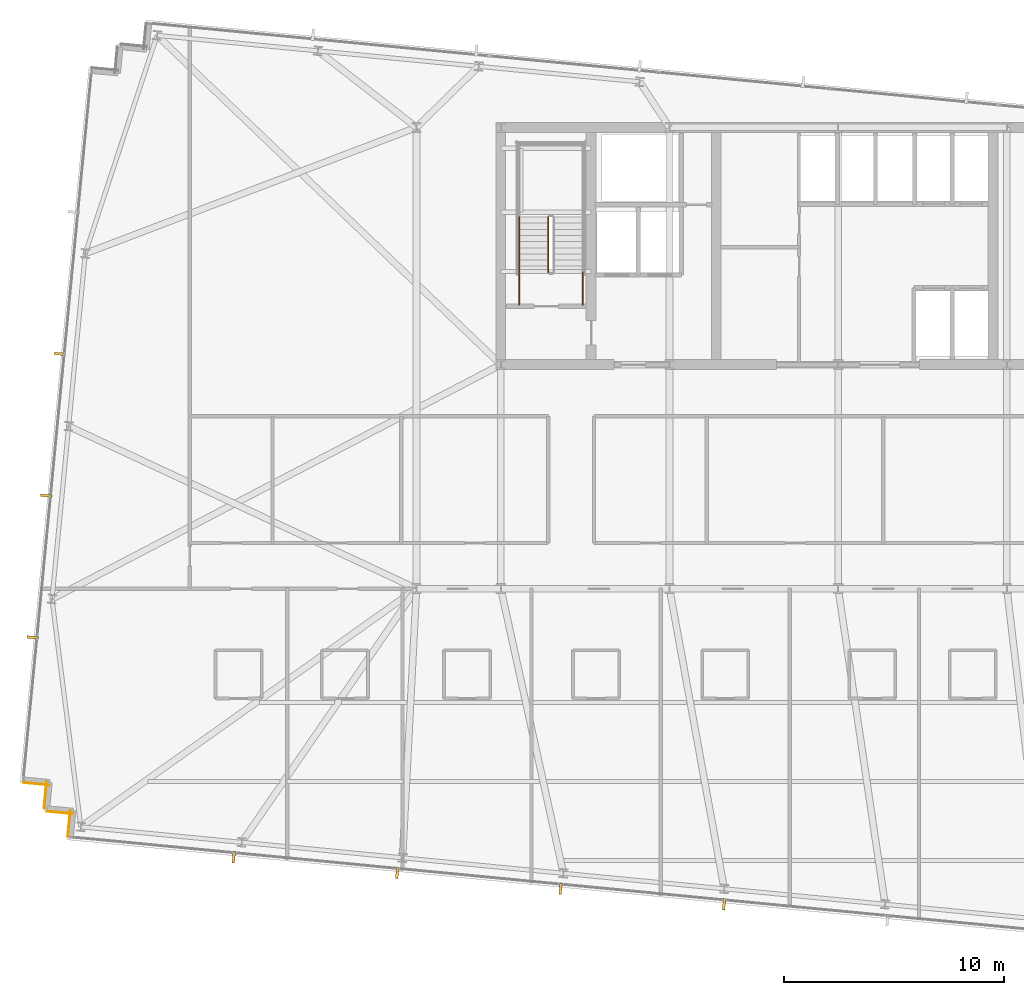
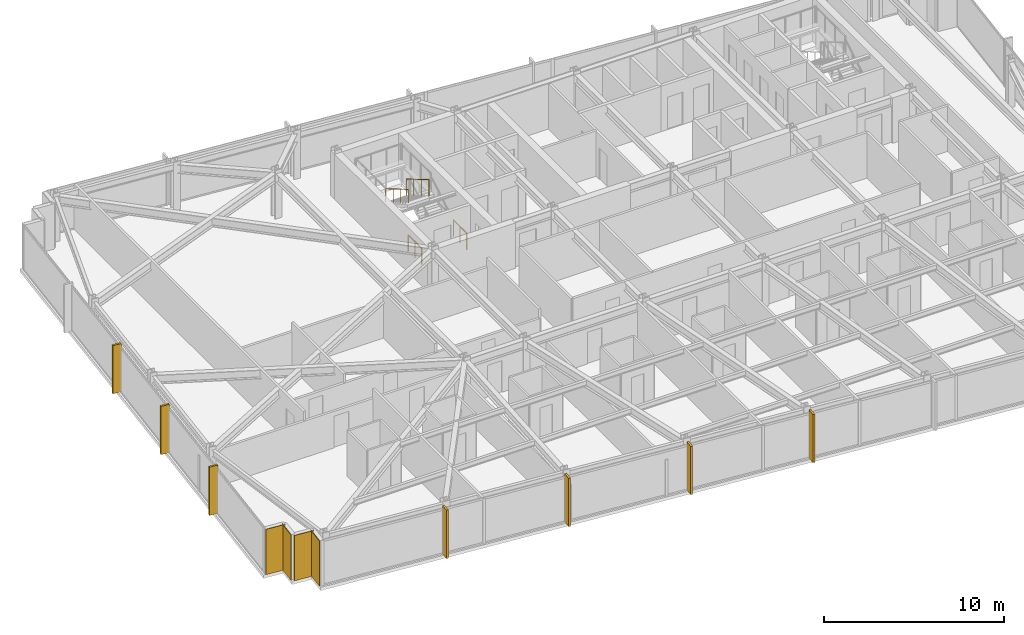
# One storey, part 33 of 37: 7 shading devices, 4 coverings, 4 railings.
"""IFC4 building model written with IfcOpenShell, lengths in metres."""

import ifcopenshell
import ifcopenshell.guid

model = None  # the IFC model being written
_history = None  # IfcOwnerHistory: only IFC2X3 demands one
_inside = {}  # id of a spatial element -> (the spatial element, [elements in it])
_under = {}  # id of a project, library or spatial element -> (it, [spatial elements below it])
_declared = {}  # id of a project -> (the project, [libraries it declares])
_typed = {}  # id of a type object -> (the type object, [elements of that type])
_made_of = {}  # id of a material, layer set ... -> (it, [elements and type objects made of it])


def new_model(schema):
    """Start an empty IFC model of exactly this schema.

    Asked for "IFC4X3", IfcOpenShell would pick the latest addendum, in which some entities
    have other attributes; the version numbers below select the first issue.
    IFC2X3 requires an IfcOwnerHistory on every rooted entity: one is made here for all.
    """
    global model, _history
    if schema == "IFC4X3":
        model = ifcopenshell.file(schema_version=(4, 3, 0, 0))
    else:
        model = ifcopenshell.file(schema=schema)
    _inside.clear()
    _under.clear()
    _declared.clear()
    _typed.clear()
    _made_of.clear()
    _history = None
    if model.schema == "IFC2X3":
        org = make("IfcOrganization", Name="unknown")
        user = make(
            "IfcPersonAndOrganization",
            ThePerson=make("IfcPerson", FamilyName="unknown"),
            TheOrganization=org,
        )
        app = make(
            "IfcApplication",
            ApplicationDeveloper=org,
            Version="unknown",
            ApplicationFullName="unknown",
            ApplicationIdentifier="unknown",
        )
        _history = make(
            "IfcOwnerHistory",
            OwningUser=user,
            OwningApplication=app,
            ChangeAction="ADDED",
            CreationDate=0,
        )
    return model


def make(cls, **values):
    """One entity of the class cls with the attributes given. An attribute that is None is left unset."""
    return model.create_entity(
        cls, **{name: value for name, value in values.items() if value is not None}
    )


def rooted(cls, **values):
    """An entity with a GlobalId (a new one), such as an element, a storey or a relation."""
    return make(cls, GlobalId=ifcopenshell.guid.new(), OwnerHistory=_history, **values)


def si_unit(unit_type, name, prefix=None):
    """IfcSIUnit, for example si_unit("LENGTHUNIT", "METRE", prefix="MILLI")."""
    return make("IfcSIUnit", UnitType=unit_type, Prefix=prefix, Name=name)


def assignment(units):
    """IfcUnitAssignment: the units of a project."""
    return None if units is None else make("IfcUnitAssignment", Units=units)


def point(xyz):
    """IfcCartesianPoint."""
    return None if xyz is None else make("IfcCartesianPoint", Coordinates=xyz)


def direction(xyz):
    """IfcDirection."""
    return None if xyz is None else make("IfcDirection", DirectionRatios=xyz)


def frame(location, z_axis=None, x_axis=None):
    """IfcAxis2Placement3D, a coordinate frame: its origin and axes. An axis left out is left unset."""
    return make(
        "IfcAxis2Placement3D",
        Location=point(location),
        Axis=direction(z_axis),
        RefDirection=direction(x_axis),
    )


def frame_2d(location, x_axis=None):
    """IfcAxis2Placement2D, a coordinate frame in the plane: its origin and x axis."""
    return make(
        "IfcAxis2Placement2D", Location=point(location), RefDirection=direction(x_axis)
    )


def origin():
    """The frame at (0, 0, 0) with its axes left unset."""
    return frame((0.0, 0.0, 0.0))


def origin_2d():
    """The frame at (0, 0) in the plane with its x axis left unset."""
    return frame_2d((0.0, 0.0))


def place(relative_to, where):
    """IfcLocalPlacement: puts the frame where relative to a parent placement (None: the world)."""
    return make(
        "IfcLocalPlacement", PlacementRelTo=relative_to, RelativePlacement=where
    )


def context(
    kind, dimensions, precision=None, world=None, true_north=None, identifier=None
):
    """IfcGeometricRepresentationContext, for example the 3D "Model" context."""
    return make(
        "IfcGeometricRepresentationContext",
        ContextIdentifier=identifier,
        ContextType=kind,
        CoordinateSpaceDimension=dimensions,
        Precision=precision,
        WorldCoordinateSystem=world,
        TrueNorth=true_north,
    )


def subcontext(parent, identifier, kind, view, scale=None):
    """IfcGeometricRepresentationSubContext, for example "Body" below "Model"."""
    return make(
        "IfcGeometricRepresentationSubContext",
        ContextIdentifier=identifier,
        ContextType=kind,
        ParentContext=parent,
        TargetScale=scale,
        TargetView=view,
    )


def project(units=None, contexts=None):
    """IfcProject with its units and contexts."""
    return rooted(
        "IfcProject",
        Name="project",
        RepresentationContexts=contexts,
        UnitsInContext=assignment(units),
    )


def spatial(cls, under=None, at=None, **own):
    """A site, building, storey or space (cls), placed at a placement, below another one or the project."""
    s = rooted(cls, ObjectPlacement=at, **own)
    if under is not None:
        _under.setdefault(under.id(), (under, []))[1].append(s)
    return s


def profile(cls, at=None, kind="AREA", **sizes):
    """A parametric profile (cls). Its sizes go by their IFC names, for example OverallWidth=200.0."""
    return make(cls, ProfileType=kind, Position=at, **sizes)


def rectangle(**sizes):
    """IfcRectangleProfileDef."""
    return profile("IfcRectangleProfileDef", **sizes)


def circle(**sizes):
    """IfcCircleProfileDef."""
    return profile("IfcCircleProfileDef", **sizes)


def extrude(swept, where, along, depth):
    """IfcExtrudedAreaSolid: the profile swept, set in the frame where, extruded along a direction by depth."""
    return make(
        "IfcExtrudedAreaSolid",
        SweptArea=swept,
        Position=where,
        ExtrudedDirection=direction(along),
        Depth=depth,
    )


def shape(context_of_items, identifier, shape_type, items):
    """IfcShapeRepresentation: the items that make up one representation, for example the "Body"."""
    return make(
        "IfcShapeRepresentation",
        ContextOfItems=context_of_items,
        RepresentationIdentifier=identifier,
        RepresentationType=shape_type,
        Items=items,
    )


def material(Name=None, Category=None):
    """IfcMaterial."""
    return make("IfcMaterial", Name=Name, Category=Category)


def layer(
    of_material, thickness, ventilated=None, Name=None, Category=None, Priority=None
):
    """IfcMaterialLayer: one layer of a wall or slab, of a material (None: an air gap)."""
    return make(
        "IfcMaterialLayer",
        Material=of_material,
        LayerThickness=thickness,
        IsVentilated=ventilated,
        Name=Name,
        Category=Category,
        Priority=Priority,
    )


def layer_set(layers, Name=None):
    """IfcMaterialLayerSet."""
    return make("IfcMaterialLayerSet", MaterialLayers=layers, LayerSetName=Name)


def made_of(thing, what):
    """Note that an element or type object is made of a material, layer set ...; save() writes the relation."""
    if what is not None:
        _made_of.setdefault(what.id(), (what, []))[1].append(thing)
    return thing


def type_object(cls, material=None, **own):
    """A type object (cls), such as IfcWallType, which elements share."""
    return made_of(rooted(cls, **own), material)


def element(
    cls,
    number,
    at=None,
    inside=None,
    cuts=None,
    type_object=None,
    material=None,
    context=None,
    identifier="Body",
    shape_type=None,
    held_by="IfcProductDefinitionShape",
    body=None,
    shapes=None,
    **own,
):
    """One element of the class cls, such as IfcWall. Its Tag is "e" and its number.

    at: its placement. inside: the storey or other place that contains it. cuts: it is an
    opening in that element (IfcRelVoidsElement). A single representation is given by context,
    identifier, shape_type and body (its items); several are given by shapes. held_by: the class
    of the entity that holds the representations. save() writes the other relations.
    """
    e = rooted(cls, Tag="e%d" % number, ObjectPlacement=at, **own)
    if body is not None:
        shapes = [shape(context, identifier, shape_type, body)]
    if shapes is not None:
        e.Representation = make(held_by, Representations=shapes)
    if inside is not None:
        _inside.setdefault(inside.id(), (inside, []))[1].append(e)
    if cuts is not None:
        rooted(
            "IfcRelVoidsElement", RelatingBuildingElement=cuts, RelatedOpeningElement=e
        )
    if type_object is not None:
        _typed.setdefault(type_object.id(), (type_object, []))[1].append(e)
    return made_of(e, material)


def aggregate(whole, parts):
    """IfcRelAggregates: a whole, such as a stair, and the parts it consists of."""
    return rooted("IfcRelAggregates", RelatingObject=whole, RelatedObjects=parts)


def save(model, path):
    """Write the relations noted so far, then the file.

    IfcRelAggregates (storeys below a building ...), IfcRelContainedInSpatialStructure (elements
    in a storey), IfcRelDefinesByType, IfcRelAssociatesMaterial and IfcRelDeclares: one each for
    every whole, place, type object, material and project.
    """
    for whole, parts in _under.values():
        aggregate(whole, parts)
    for where, things in _inside.values():
        rooted(
            "IfcRelContainedInSpatialStructure",
            RelatedElements=things,
            RelatingStructure=where,
        )
    for kind, things in _typed.values():
        rooted("IfcRelDefinesByType", RelatedObjects=things, RelatingType=kind)
    for what, things in _made_of.values():
        rooted("IfcRelAssociatesMaterial", RelatedObjects=things, RelatingMaterial=what)
    for by, libraries in _declared.values():
        rooted("IfcRelDeclares", RelatingContext=by, RelatedDefinitions=libraries)
    model.write(path)


model = new_model("IFC4")

# Units and contexts
model_context = context("Model", 3, precision=1e-05, world=origin(), true_north=direction((0.0, 1.0)))
body_context = subcontext(model_context, "Body", "Model", "MODEL_VIEW")
ifc_project = project(units=[si_unit("LENGTHUNIT", "METRE"), si_unit("AREAUNIT", "SQUARE_METRE"), si_unit("VOLUMEUNIT", "CUBIC_METRE"), si_unit("PLANEANGLEUNIT", "RADIAN"), si_unit("MASSUNIT", "GRAM", prefix="KILO")], contexts=[model_context])

# Site, building, storey
site_placement = place(None, origin())
site = spatial("IfcSite", under=ifc_project, at=site_placement, CompositionType="ELEMENT")
building_placement = place(site_placement, origin())
building = spatial("IfcBuilding", under=site, at=building_placement, Name="Yelkora Congress Tower", CompositionType="ELEMENT")
storey_placement = place(building_placement, frame((0.0, 0.0, 158.89990234375)))
storey = spatial("IfcBuildingStorey", under=building, at=storey_placement, Name="L43", CompositionType="ELEMENT", Elevation=158.89990234375)

# Coverings
ifc_material_1 = material(Name="Anatolian bush-hammered limestone", Category="masonry")
ifc_layer_1 = layer(ifc_material_1, 0.0400390625)
ifc_layer_set_1 = layer_set([ifc_layer_1], Name="Anatolian bush-hammered limestone")
covering_type = type_object("IfcCoveringType", Name="COV-CLAD-SPANDREL-40", PredefinedType="CLADDING", material=ifc_layer_set_1)
covering_1_placement = place(storey_placement, frame((3.327880859375, 13.90185546875, 0.0), z_axis=(0.0, 0.0, 1.0), x_axis=(0.095817067274, 0.995398960025, 0.0)))
element("IfcCovering", 1, at=covering_1_placement, inside=storey, type_object=covering_type, Name="L43 Anatolian Limestone Cladding EW-L43-SR01", PredefinedType="CLADDING", context=body_context, shape_type="SweptSolid", body=[
    extrude(rectangle(XDim=1.2001953125, YDim=0.0400390625, at=frame_2d((0.60009765625, 0.0))), origin(), (0.0, 0.0, 1.0), 3.080078125),
])
covering_2_placement = place(storey_placement, frame((3.564208984375, 14.94921875, 0.0), z_axis=(0.0, 0.0, 1.0), x_axis=(-0.995397091755, 0.095836473879, 0.0)))
element("IfcCovering", 2, at=covering_2_placement, inside=storey, type_object=covering_type, Name="L43 Anatolian Limestone Cladding EW-L43-SR02", PredefinedType="CLADDING", context=body_context, shape_type="SweptSolid", body=[
    extrude(rectangle(XDim=1.199951171875, YDim=0.0400390625, at=frame_2d((0.60009765625, 0.0))), origin(), (0.0, 0.0, 1.0), 3.080078125),
])
for number, where, z_axis, x_axis, name in (
    (3, (2.248291015625, 15.21142578125, 0.0), (0.0, 0.0, 1.0), (0.095817067274, 0.995398960025, 0.0), "L43 Anatolian Limestone Cladding EW-L43-SR03"),
    (4, (2.48486328125, 16.258544921875, 0.0), (0.0, 0.0, 1.0), (-0.995398960025, 0.095817067274, 0.0), "L43 Anatolian Limestone Cladding EW-L43-SR04"),
):
    element("IfcCovering", number, at=place(storey_placement, frame(where, z_axis=z_axis, x_axis=x_axis)), inside=storey, type_object=covering_type, Name=name, PredefinedType="CLADDING", context=body_context, shape_type="SweptSolid", body=[
        extrude(rectangle(XDim=1.2001953125, YDim=0.0400390625, at=frame_2d((0.60009765625, 0.0))), origin(), (0.0, 0.0, 1.0), 3.080078125),
    ])

# Railings
ifc_material_2 = material(Name="Painted galvanised steel stair well guard with vertical infill", Category="steel")
ifc_layer_2 = layer(ifc_material_2, 0.06005859375)
ifc_layer_set_2 = layer_set([ifc_layer_2], Name="Painted galvanised steel stair well guard with vertical infill")
railing_type_1 = type_object("IfcRailingType", Name="RAIL-STAIR-GUARD-1120", PredefinedType="GUARDRAIL", material=ifc_layer_set_2)
railing_1_placement = place(storey_placement, frame((25.18994140625, 42.1201171875, 1.815185546875)))
element("IfcRailing", 5, at=railing_1_placement, inside=storey, type_object=railing_type_1, Name="ST-01 L43 Stair Well Guardrail 6", PredefinedType="GUARDRAIL", context=body_context, shape_type="SweptSolid", body=[
    extrude(circle(Radius=0.02392578125, at=origin_2d()), frame((0.0, 0.0, 1.09619140625), z_axis=(0.0, -0.861560626758, 0.507654692109), x_axis=(1.0, 0.0, 0.0)), (0.0, 0.0, 1.0), 2.925048828125),
    extrude(circle(Radius=0.02099609375, at=origin_2d()), origin(), (0.0, 0.0, 1.0), 1.072021484375),
    extrude(circle(Radius=0.02099609375, at=origin_2d()), frame((0.0, -0.840087890625, 0.494873046875)), (0.0, 0.0, 1.0), 1.072021484375),
    extrude(circle(Radius=0.02099609375, at=origin_2d()), frame((0.0, -1.679931640625, 0.989990234375)), (0.0, 0.0, 1.0), 1.072021484375),
    extrude(circle(Radius=0.02099609375, at=origin_2d()), frame((0.0, -2.52001953125, 1.48486328125)), (0.0, 0.0, 1.0), 1.072021484375),
])
for number, where, name in (
    (6, (26.77001953125, 38.1201171875, 0.0), "ST-01 L43 Stair Well Guardrail 8"),
    (7, (23.8701171875, 38.1201171875, 0.0), "ST-01 L43 Stair Well Guardrail 9"),
):
    element("IfcRailing", number, at=place(storey_placement, frame(where)), inside=storey, type_object=railing_type_1, Name=name, PredefinedType="GUARDRAIL", context=body_context, shape_type="SweptSolid", body=[
        extrude(circle(Radius=0.02392578125, at=origin_2d()), frame((0.0, 0.0, 1.09619140625), z_axis=(0.0, 1.0, 0.0), x_axis=(-1.0, 0.0, 0.0)), (0.0, 0.0, 1.0), 1.47998046875),
        extrude(circle(Radius=0.02099609375, at=origin_2d()), origin(), (0.0, 0.0, 1.0), 1.072021484375),
        extrude(circle(Radius=0.02099609375, at=origin_2d()), frame((0.0, 0.739990234375, 0.0)), (0.0, 0.0, 1.0), 1.072021484375),
        extrude(circle(Radius=0.02099609375, at=origin_2d()), frame((0.0, 1.47998046875, 0.0)), (0.0, 0.0, 1.0), 1.072021484375),
    ])
ifc_material_3 = material(Name="Brushed stainless steel tubular handrail", Category="steel")
ifc_layer_3 = layer(ifc_material_3, 0.050048828125)
ifc_layer_set_3 = layer_set([ifc_layer_3], Name="Brushed stainless steel tubular handrail")
railing_type_2 = type_object("IfcRailingType", Name="RAIL-STAIR-HAND-920", PredefinedType="HANDRAIL", material=ifc_layer_set_3)
railing_2_placement = place(storey_placement, frame((23.8701171875, 42.1201171875, 1.815185546875)))
element("IfcRailing", 8, at=railing_2_placement, inside=storey, type_object=railing_type_2, Name="ST-01 L43 Pitch Handrail 2", PredefinedType="HANDRAIL", context=body_context, shape_type="SweptSolid", body=[
    extrude(circle(Radius=0.02392578125, at=origin_2d()), frame((0.0, 0.0, 0.89599609375), z_axis=(0.0, -0.861560626758, 0.507654692109), x_axis=(1.0, 0.0, 0.0)), (0.0, 0.0, 1.0), 2.925048828125),
    extrude(circle(Radius=0.02099609375, at=origin_2d()), origin(), (0.0, 0.0, 1.0), 0.871826171875),
    extrude(circle(Radius=0.02099609375, at=origin_2d()), frame((0.0, -0.840087890625, 0.494873046875)), (0.0, 0.0, 1.0), 0.871826171875),
    extrude(circle(Radius=0.02099609375, at=origin_2d()), frame((0.0, -1.679931640625, 0.989990234375)), (0.0, 0.0, 1.0), 0.871826171875),
    extrude(circle(Radius=0.02099609375, at=origin_2d()), frame((0.0, -2.52001953125, 1.48486328125)), (0.0, 0.0, 1.0), 0.871826171875),
])

# Shading devices
ifc_material_4 = material(Name="Champagne anodised aluminium", Category="aluminium")
ifc_layer_4 = layer(ifc_material_4, 3.300048828125)
ifc_layer_set_4 = layer_set([ifc_layer_4], Name="Champagne anodised aluminium")
shading_device_type = type_object("IfcShadingDeviceType", Name="SHD-FIN-ALU-520", PredefinedType="USERDEFINED", material=ifc_layer_set_4)
for number, where, z_axis, x_axis, name in (
    (9, (1.7255859375, 22.981201171875, -0.02978515625), (0.0, 0.0, 1.0), (0.09584575252, 0.995396198367, 0.0), "L43 Vertical Anodised Solar Fin 5-1"),
    (10, (2.34716796875, 29.435302734375, -0.02978515625), (0.0, 0.0, 1.0), (0.09584575252, 0.995396198367, 0.0), "L43 Vertical Anodised Solar Fin 5-2"),
    (11, (2.968505859375, 35.889404296875, -0.02978515625), (0.0, 0.0, 1.0), (0.09584575252, 0.995396198367, 0.0), "L43 Vertical Anodised Solar Fin 5-3"),
    (12, (33.202392578125, 10.82421875, -0.02978515625), (0.0, 0.0, 1.0), (-0.995396198367, 0.09584575252, 0.0), "L43 Vertical Anodised Solar Fin 20-3"),
    (13, (25.7626953125, 11.540771484375, -0.02978515625), (0.0, 0.0, 1.0), (-0.995396198367, 0.09584575252, 0.0), "L43 Vertical Anodised Solar Fin 20-4"),
    (14, (18.32275390625, 12.257080078125, -0.02978515625), (0.0, 0.0, 1.0), (-0.995396198367, 0.09584575252, 0.0), "L43 Vertical Anodised Solar Fin 20-5"),
    (15, (10.8828125, 12.973388671875, -0.02978515625), (0.0, 0.0, 1.0), (-0.995396198367, 0.09584575252, 0.0), "L43 Vertical Anodised Solar Fin 20-6"),
):
    element("IfcShadingDevice", number, at=place(storey_placement, frame(where, z_axis=z_axis, x_axis=x_axis)), inside=storey, type_object=shading_device_type, Name=name, ObjectType="FIN", PredefinedType="USERDEFINED", context=body_context, shape_type="SweptSolid", body=[
        extrude(rectangle(XDim=0.1201171875, YDim=0.52001953125, at=origin_2d()), origin(), (0.0, 0.0, 1.0), 3.280029296875),
    ])

save(model, "model.ifc")
